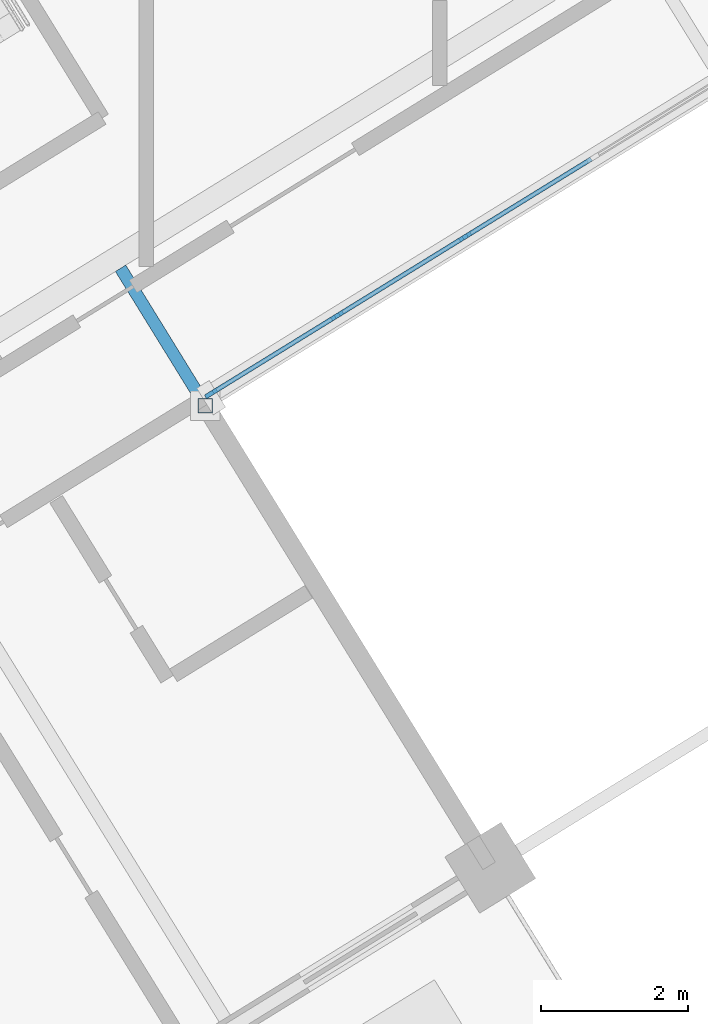
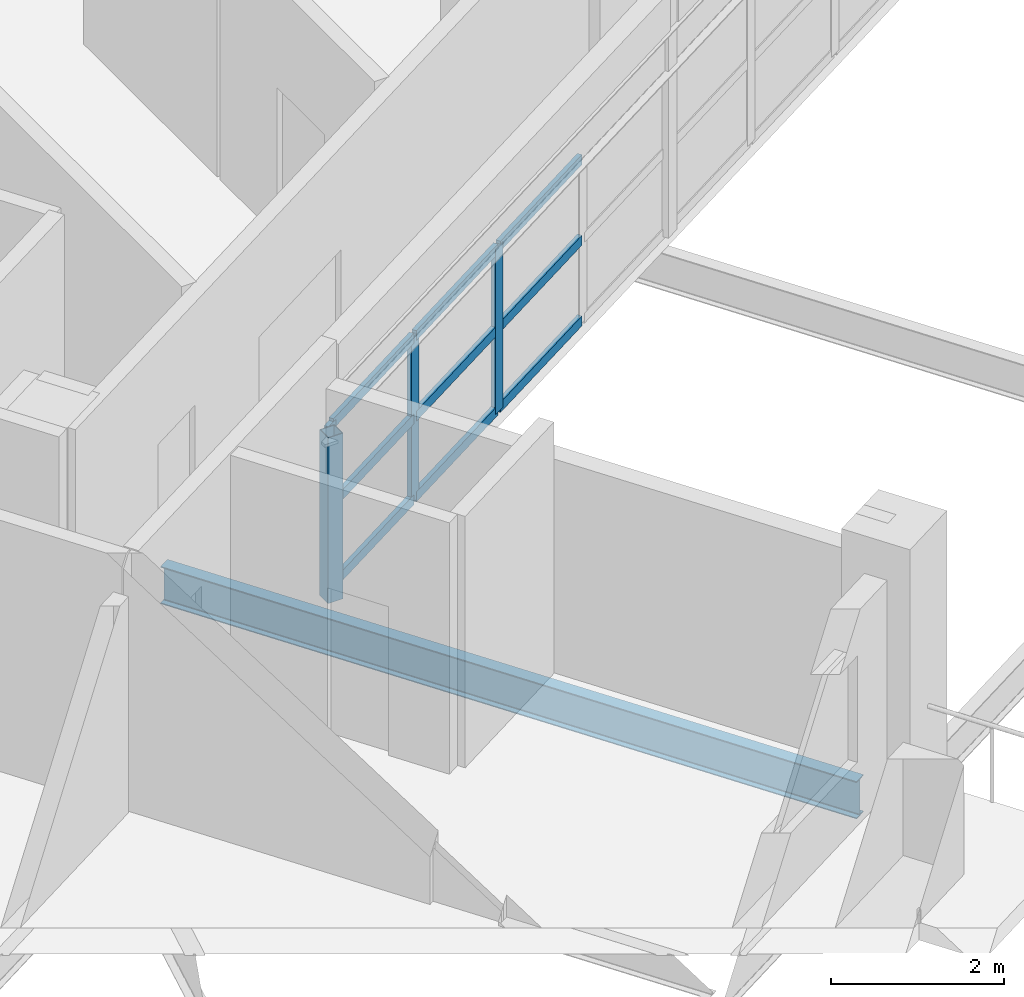
# One storey, part 2 of 22: 13 members, 1 beam, 1 element without a shape of its own.
"""IFC4 building model written with IfcOpenShell, lengths in metres."""

import ifcopenshell
import ifcopenshell.guid

model = None  # the IFC model being written
_history = None  # IfcOwnerHistory: only IFC2X3 demands one
_inside = {}  # id of a spatial element -> (the spatial element, [elements in it])
_under = {}  # id of a project, library or spatial element -> (it, [spatial elements below it])
_declared = {}  # id of a project -> (the project, [libraries it declares])
_typed = {}  # id of a type object -> (the type object, [elements of that type])
_made_of = {}  # id of a material, layer set ... -> (it, [elements and type objects made of it])


def new_model(schema):
    """Start an empty IFC model of exactly this schema.

    Asked for "IFC4X3", IfcOpenShell would pick the latest addendum, in which some entities
    have other attributes; the version numbers below select the first issue.
    IFC2X3 requires an IfcOwnerHistory on every rooted entity: one is made here for all.
    """
    global model, _history
    if schema == "IFC4X3":
        model = ifcopenshell.file(schema_version=(4, 3, 0, 0))
    else:
        model = ifcopenshell.file(schema=schema)
    _inside.clear()
    _under.clear()
    _declared.clear()
    _typed.clear()
    _made_of.clear()
    _history = None
    if model.schema == "IFC2X3":
        org = make("IfcOrganization", Name="unknown")
        user = make(
            "IfcPersonAndOrganization",
            ThePerson=make("IfcPerson", FamilyName="unknown"),
            TheOrganization=org,
        )
        app = make(
            "IfcApplication",
            ApplicationDeveloper=org,
            Version="unknown",
            ApplicationFullName="unknown",
            ApplicationIdentifier="unknown",
        )
        _history = make(
            "IfcOwnerHistory",
            OwningUser=user,
            OwningApplication=app,
            ChangeAction="ADDED",
            CreationDate=0,
        )
    return model


def make(cls, **values):
    """One entity of the class cls with the attributes given. An attribute that is None is left unset."""
    return model.create_entity(
        cls, **{name: value for name, value in values.items() if value is not None}
    )


def rooted(cls, **values):
    """An entity with a GlobalId (a new one), such as an element, a storey or a relation."""
    return make(cls, GlobalId=ifcopenshell.guid.new(), OwnerHistory=_history, **values)


def si_unit(unit_type, name, prefix=None):
    """IfcSIUnit, for example si_unit("LENGTHUNIT", "METRE", prefix="MILLI")."""
    return make("IfcSIUnit", UnitType=unit_type, Prefix=prefix, Name=name)


def assignment(units):
    """IfcUnitAssignment: the units of a project."""
    return None if units is None else make("IfcUnitAssignment", Units=units)


def point(xyz):
    """IfcCartesianPoint."""
    return None if xyz is None else make("IfcCartesianPoint", Coordinates=xyz)


def direction(xyz):
    """IfcDirection."""
    return None if xyz is None else make("IfcDirection", DirectionRatios=xyz)


def frame(location, z_axis=None, x_axis=None):
    """IfcAxis2Placement3D, a coordinate frame: its origin and axes. An axis left out is left unset."""
    return make(
        "IfcAxis2Placement3D",
        Location=point(location),
        Axis=direction(z_axis),
        RefDirection=direction(x_axis),
    )


def frame_2d(location, x_axis=None):
    """IfcAxis2Placement2D, a coordinate frame in the plane: its origin and x axis."""
    return make(
        "IfcAxis2Placement2D", Location=point(location), RefDirection=direction(x_axis)
    )


def origin():
    """The frame at (0, 0, 0) with its axes left unset."""
    return frame((0.0, 0.0, 0.0))


def origin_2d():
    """The frame at (0, 0) in the plane with its x axis left unset."""
    return frame_2d((0.0, 0.0))


def place(relative_to, where):
    """IfcLocalPlacement: puts the frame where relative to a parent placement (None: the world)."""
    return make(
        "IfcLocalPlacement", PlacementRelTo=relative_to, RelativePlacement=where
    )


def context(
    kind, dimensions, precision=None, world=None, true_north=None, identifier=None
):
    """IfcGeometricRepresentationContext, for example the 3D "Model" context."""
    return make(
        "IfcGeometricRepresentationContext",
        ContextIdentifier=identifier,
        ContextType=kind,
        CoordinateSpaceDimension=dimensions,
        Precision=precision,
        WorldCoordinateSystem=world,
        TrueNorth=true_north,
    )


def subcontext(parent, identifier, kind, view, scale=None):
    """IfcGeometricRepresentationSubContext, for example "Body" below "Model"."""
    return make(
        "IfcGeometricRepresentationSubContext",
        ContextIdentifier=identifier,
        ContextType=kind,
        ParentContext=parent,
        TargetScale=scale,
        TargetView=view,
    )


def project(units=None, contexts=None):
    """IfcProject with its units and contexts."""
    return rooted(
        "IfcProject",
        Name="project",
        RepresentationContexts=contexts,
        UnitsInContext=assignment(units),
    )


def spatial(cls, under=None, at=None, **own):
    """A site, building, storey or space (cls), placed at a placement, below another one or the project."""
    s = rooted(cls, ObjectPlacement=at, **own)
    if under is not None:
        _under.setdefault(under.id(), (under, []))[1].append(s)
    return s


def profile(cls, at=None, kind="AREA", **sizes):
    """A parametric profile (cls). Its sizes go by their IFC names, for example OverallWidth=200.0."""
    return make(cls, ProfileType=kind, Position=at, **sizes)


def rectangle(**sizes):
    """IfcRectangleProfileDef."""
    return profile("IfcRectangleProfileDef", **sizes)


def hollow_rectangle(**sizes):
    """IfcRectangleHollowProfileDef."""
    return profile("IfcRectangleHollowProfileDef", **sizes)


def i_section(**sizes):
    """IfcIShapeProfileDef."""
    return profile("IfcIShapeProfileDef", **sizes)


def extrude(swept, where, along, depth):
    """IfcExtrudedAreaSolid: the profile swept, set in the frame where, extruded along a direction by depth."""
    return make(
        "IfcExtrudedAreaSolid",
        SweptArea=swept,
        Position=where,
        ExtrudedDirection=direction(along),
        Depth=depth,
    )


def shape(context_of_items, identifier, shape_type, items):
    """IfcShapeRepresentation: the items that make up one representation, for example the "Body"."""
    return make(
        "IfcShapeRepresentation",
        ContextOfItems=context_of_items,
        RepresentationIdentifier=identifier,
        RepresentationType=shape_type,
        Items=items,
    )


def material(Name=None, Category=None):
    """IfcMaterial."""
    return make("IfcMaterial", Name=Name, Category=Category)


def material_profile(
    of_material, cross_section, Name=None, Category=None, Priority=None
):
    """IfcMaterialProfile: a cross section and its material."""
    return make(
        "IfcMaterialProfile",
        Name=Name,
        Material=of_material,
        Profile=cross_section,
        Priority=Priority,
        Category=Category,
    )


def profile_set(profiles, Name=None, composite=None):
    """IfcMaterialProfileSet."""
    return make(
        "IfcMaterialProfileSet",
        Name=Name,
        MaterialProfiles=profiles,
        CompositeProfile=composite,
    )


def made_of(thing, what):
    """Note that an element or type object is made of a material, layer set ...; save() writes the relation."""
    if what is not None:
        _made_of.setdefault(what.id(), (what, []))[1].append(thing)
    return thing


def type_object(cls, material=None, **own):
    """A type object (cls), such as IfcWallType, which elements share."""
    return made_of(rooted(cls, **own), material)


def element(
    cls,
    number,
    at=None,
    inside=None,
    cuts=None,
    type_object=None,
    material=None,
    context=None,
    identifier="Body",
    shape_type=None,
    held_by="IfcProductDefinitionShape",
    body=None,
    shapes=None,
    **own,
):
    """One element of the class cls, such as IfcWall. Its Tag is "e" and its number.

    at: its placement. inside: the storey or other place that contains it. cuts: it is an
    opening in that element (IfcRelVoidsElement). A single representation is given by context,
    identifier, shape_type and body (its items); several are given by shapes. held_by: the class
    of the entity that holds the representations. save() writes the other relations.
    """
    e = rooted(cls, Tag="e%d" % number, ObjectPlacement=at, **own)
    if body is not None:
        shapes = [shape(context, identifier, shape_type, body)]
    if shapes is not None:
        e.Representation = make(held_by, Representations=shapes)
    if inside is not None:
        _inside.setdefault(inside.id(), (inside, []))[1].append(e)
    if cuts is not None:
        rooted(
            "IfcRelVoidsElement", RelatingBuildingElement=cuts, RelatedOpeningElement=e
        )
    if type_object is not None:
        _typed.setdefault(type_object.id(), (type_object, []))[1].append(e)
    return made_of(e, material)


def aggregate(whole, parts):
    """IfcRelAggregates: a whole, such as a stair, and the parts it consists of."""
    return rooted("IfcRelAggregates", RelatingObject=whole, RelatedObjects=parts)


def save(model, path):
    """Write the relations noted so far, then the file.

    IfcRelAggregates (storeys below a building ...), IfcRelContainedInSpatialStructure (elements
    in a storey), IfcRelDefinesByType, IfcRelAssociatesMaterial and IfcRelDeclares: one each for
    every whole, place, type object, material and project.
    """
    for whole, parts in _under.values():
        aggregate(whole, parts)
    for where, things in _inside.values():
        rooted(
            "IfcRelContainedInSpatialStructure",
            RelatedElements=things,
            RelatingStructure=where,
        )
    for kind, things in _typed.values():
        rooted("IfcRelDefinesByType", RelatedObjects=things, RelatingType=kind)
    for what, things in _made_of.values():
        rooted("IfcRelAssociatesMaterial", RelatedObjects=things, RelatingMaterial=what)
    for by, libraries in _declared.values():
        rooted("IfcRelDeclares", RelatingContext=by, RelatedDefinitions=libraries)
    model.write(path)


model = new_model("IFC4")

# Units and contexts
model_context = context("Model", 3, precision=1e-05, world=origin(), true_north=direction((0.0, 1.0)))
body_context = subcontext(model_context, "Body", "Model", "MODEL_VIEW")
ifc_project = project(units=[si_unit("LENGTHUNIT", "METRE"), si_unit("AREAUNIT", "SQUARE_METRE"), si_unit("VOLUMEUNIT", "CUBIC_METRE"), si_unit("PLANEANGLEUNIT", "RADIAN"), si_unit("MASSUNIT", "GRAM", prefix="KILO")], contexts=[model_context])

# Site, building, storey
site_placement = place(None, origin())
site = spatial("IfcSite", under=ifc_project, at=site_placement, CompositionType="ELEMENT")
building_placement = place(site_placement, origin())
building = spatial("IfcBuilding", under=site, at=building_placement, Name="Cantera Rosa Tower", CompositionType="ELEMENT")
storey_placement = place(building_placement, frame((0.0, 0.0, 174.199951171875)))
storey = spatial("IfcBuildingStorey", under=building, at=storey_placement, Name="L38", CompositionType="ELEMENT", Elevation=174.199951171875)

# Curtain wall, members
ifc_material_1 = material(Name="Aluminium frame with clear glass", Category="aluminium")
curtain_wall_type = type_object("IfcCurtainWallType", Name="CW1 TERRACE POCKET GLAZING", PredefinedType="NOTDEFINED", material=ifc_material_1)
curtain_wall_placement = place(storey_placement, origin())
curtain_wall = element("IfcCurtainWall", 1, at=curtain_wall_placement, inside=storey, type_object=curtain_wall_type, Name="CW1 CW1", PredefinedType="NOTDEFINED")
ifc_material_2 = material(Name="Anodised bronze aluminium", Category="aluminium")
ifc_material_profile_1 = material_profile(ifc_material_2, rectangle(XDim=0.06005859375, YDim=0.179931640625, at=origin_2d()), Name="CW-MULLION 60x180 POCKET")
ifc_profile_set_1 = profile_set([ifc_material_profile_1], Name="Anodised bronze aluminium")
member_type_1 = type_object("IfcMemberType", Name="CW-MULLION 60x180 POCKET", PredefinedType="MULLION", material=ifc_profile_set_1)
member_1_placement = place(storey_placement, frame((-3.114013671875, -18.428466796875, 0.0), z_axis=(0.0, 0.0, 1.0), x_axis=(-0.524976580354, 0.851116672425, 0.0)))
member_1 = element("IfcMember", 2, at=member_1_placement, type_object=member_type_1, Name="CW1 mullion 1", PredefinedType="MULLION", context=body_context, shape_type="SweptSolid", body=[
    extrude(rectangle(XDim=0.06005859375, YDim=0.179931640625, at=origin_2d()), origin(), (0.0, 0.0, 1.0), 2.338134765625),
])
member_2_placement = place(storey_placement, frame((-1.39599609375, -17.36865234375, 0.0), z_axis=(0.0, 0.0, 1.0), x_axis=(-0.524976580354, 0.851116672425, 0.0)))
member_2 = element("IfcMember", 3, at=member_2_placement, type_object=member_type_1, Name="CW1 mullion 2", PredefinedType="MULLION", context=body_context, shape_type="SweptSolid", body=[
    extrude(rectangle(XDim=0.06005859375, YDim=0.179931640625, at=origin_2d()), origin(), (0.0, 0.0, 1.0), 2.338134765625),
])
member_3_placement = place(storey_placement, frame((0.347900390625, -16.293212890625, 0.0), z_axis=(0.0, 0.0, 1.0), x_axis=(-0.524976580354, 0.851116672425, 0.0)))
member_3 = element("IfcMember", 4, at=member_3_placement, type_object=member_type_1, Name="CW1 mullion 3", PredefinedType="MULLION", context=body_context, shape_type="SweptSolid", body=[
    extrude(rectangle(XDim=0.06005859375, YDim=0.179931640625, at=origin_2d()), origin(), (0.0, 0.0, 1.0), 2.338134765625),
])
ifc_material_3 = material(Name="Anodised bronze aluminium", Category="aluminium")
ifc_material_profile_2 = material_profile(ifc_material_3, rectangle(XDim=0.06005859375, YDim=0.139892578125, at=origin_2d()), Name="CW-TRANSOM 60x140 POCKET")
ifc_profile_set_2 = profile_set([ifc_material_profile_2], Name="Anodised bronze aluminium")
member_type_2 = type_object("IfcMemberType", Name="CW-TRANSOM 60x140 POCKET", PredefinedType="USERDEFINED", material=ifc_profile_set_2)
member_4_placement = place(storey_placement, frame((-3.088623046875, -18.412841796875, 0.030029296875), z_axis=(0.851127248562, 0.524959433437, 0.0), x_axis=(-0.524959433437, 0.851127248562, 0.0)))
member_4 = element("IfcMember", 5, at=member_4_placement, type_object=member_type_2, Name="CW1 transom 1.1", ObjectType="TRANSOM", PredefinedType="USERDEFINED", context=body_context, shape_type="SweptSolid", body=[
    extrude(rectangle(XDim=0.06005859375, YDim=0.139892578125, at=origin_2d()), origin(), (0.0, 0.0, 1.0), 1.958740234375),
])
member_5_placement = place(storey_placement, frame((-3.088623046875, -18.412841796875, 1.1689453125), z_axis=(0.851127248562, 0.524959433437, 0.0), x_axis=(-0.524959433437, 0.851127248562, 0.0)))
member_5 = element("IfcMember", 6, at=member_5_placement, type_object=member_type_2, Name="CW1 transom 1.2", ObjectType="TRANSOM", PredefinedType="USERDEFINED", context=body_context, shape_type="SweptSolid", body=[
    extrude(rectangle(XDim=0.06005859375, YDim=0.139892578125, at=origin_2d()), origin(), (0.0, 0.0, 1.0), 1.958740234375),
])
member_6_placement = place(storey_placement, frame((-3.088623046875, -18.412841796875, 2.30810546875), z_axis=(0.851127248562, 0.524959433437, 0.0), x_axis=(-0.524959433437, 0.851127248562, 0.0)))
member_6 = element("IfcMember", 7, at=member_6_placement, type_object=member_type_2, Name="CW1 transom 1.3", ObjectType="TRANSOM", PredefinedType="USERDEFINED", context=body_context, shape_type="SweptSolid", body=[
    extrude(rectangle(XDim=0.06005859375, YDim=0.139892578125, at=origin_2d()), origin(), (0.0, 0.0, 1.0), 1.958740234375),
])
member_7_placement = place(storey_placement, frame((-1.370361328125, -17.35302734375, 0.030029296875), z_axis=(0.851080363594, 0.52503544138, 0.0), x_axis=(-0.52503544138, 0.851080363594, 0.0)))
member_7 = element("IfcMember", 8, at=member_7_placement, type_object=member_type_2, Name="CW1 transom 2.1", ObjectType="TRANSOM", PredefinedType="USERDEFINED", context=body_context, shape_type="SweptSolid", body=[
    extrude(rectangle(XDim=0.06005859375, YDim=0.139892578125, at=origin_2d()), origin(), (0.0, 0.0, 1.0), 1.98876953125),
])
member_8_placement = place(storey_placement, frame((-1.370361328125, -17.35302734375, 1.1689453125), z_axis=(0.851080363594, 0.52503544138, 0.0), x_axis=(-0.52503544138, 0.851080363594, 0.0)))
member_8 = element("IfcMember", 9, at=member_8_placement, type_object=member_type_2, Name="CW1 transom 2.2", ObjectType="TRANSOM", PredefinedType="USERDEFINED", context=body_context, shape_type="SweptSolid", body=[
    extrude(rectangle(XDim=0.06005859375, YDim=0.139892578125, at=origin_2d()), origin(), (0.0, 0.0, 1.0), 1.98876953125),
])
member_9_placement = place(storey_placement, frame((-1.370361328125, -17.35302734375, 2.30810546875), z_axis=(0.851080363594, 0.52503544138, 0.0), x_axis=(-0.52503544138, 0.851080363594, 0.0)))
member_9 = element("IfcMember", 10, at=member_9_placement, type_object=member_type_2, Name="CW1 transom 2.3", ObjectType="TRANSOM", PredefinedType="USERDEFINED", context=body_context, shape_type="SweptSolid", body=[
    extrude(rectangle(XDim=0.06005859375, YDim=0.139892578125, at=origin_2d()), origin(), (0.0, 0.0, 1.0), 1.98876953125),
])
member_10_placement = place(storey_placement, frame((0.373291015625, -16.27734375, 0.030029296875), z_axis=(0.851135216516, 0.524946514615, 0.0), x_axis=(-0.524946514615, 0.851135216516, 0.0)))
member_10 = element("IfcMember", 11, at=member_10_placement, type_object=member_type_2, Name="CW1 transom 3.1", ObjectType="TRANSOM", PredefinedType="USERDEFINED", context=body_context, shape_type="SweptSolid", body=[
    extrude(rectangle(XDim=0.06005859375, YDim=0.139892578125, at=origin_2d()), origin(), (0.0, 0.0, 1.0), 1.98876953125),
])
member_11_placement = place(storey_placement, frame((0.373291015625, -16.27734375, 1.1689453125), z_axis=(0.851135216516, 0.524946514615, 0.0), x_axis=(-0.524946514615, 0.851135216516, 0.0)))
member_11 = element("IfcMember", 12, at=member_11_placement, type_object=member_type_2, Name="CW1 transom 3.2", ObjectType="TRANSOM", PredefinedType="USERDEFINED", context=body_context, shape_type="SweptSolid", body=[
    extrude(rectangle(XDim=0.06005859375, YDim=0.139892578125, at=origin_2d()), origin(), (0.0, 0.0, 1.0), 1.98876953125),
])
member_12_placement = place(storey_placement, frame((0.373291015625, -16.27734375, 2.30810546875), z_axis=(0.851135216516, 0.524946514615, 0.0), x_axis=(-0.524946514615, 0.851135216516, 0.0)))
member_12 = element("IfcMember", 13, at=member_12_placement, type_object=member_type_2, Name="CW1 transom 3.3", ObjectType="TRANSOM", PredefinedType="USERDEFINED", context=body_context, shape_type="SweptSolid", body=[
    extrude(rectangle(XDim=0.06005859375, YDim=0.139892578125, at=origin_2d()), origin(), (0.0, 0.0, 1.0), 1.98876953125),
])
aggregate(curtain_wall, [member_1, member_2, member_3, member_4, member_5, member_6, member_7, member_8, member_9, member_10, member_11, member_12])

# Member
ifc_material_4 = material(Name="Steel ASTM A992 (Fy 345 MPa)", Category="steel")
ifc_material_profile_3 = material_profile(ifc_material_4, hollow_rectangle(XDim=0.199951171875, YDim=0.199951171875, WallThickness=0.010009765625, at=origin_2d()), Name="LINTEL POST RHS 200x200x10")
ifc_profile_set_3 = profile_set([ifc_material_profile_3], Name="Steel ASTM A992 (Fy 345 MPa)")
member_type_3 = type_object("IfcMemberType", Name="LINTEL POST RHS 200x200x10", PredefinedType="USERDEFINED", material=ifc_profile_set_3)
member_13_placement = place(storey_placement, frame((-3.193603515625, -18.594970703125, 0.0), z_axis=(0.0, 0.0, 1.0), x_axis=(1.0, 0.0, 0.0)))
element("IfcMember", 14, at=member_13_placement, inside=storey, type_object=member_type_3, Name="LINTEL POST L38-1", ObjectType="LINTEL POST", PredefinedType="USERDEFINED", context=body_context, shape_type="SweptSolid", body=[
    extrude(hollow_rectangle(XDim=0.199951171875, YDim=0.199951171875, WallThickness=0.010009765625, at=origin_2d()), origin(), (0.0, 0.0, 1.0), 2.340087890625),
])

# Beam
ifc_material_5 = material(Name="Steel ASTM A992 (Fy 345 MPa)", Category="steel")
ifc_material_profile_4 = material_profile(ifc_material_5, i_section(OverallWidth=0.166015625, OverallDepth=0.528076171875, WebThickness=0.009765625, FlangeThickness=0.013671875, FilletRadius=0.0126953125, at=origin_2d()), Name="W530X74")
ifc_profile_set_4 = profile_set([ifc_material_profile_4], Name="Steel ASTM A992 (Fy 345 MPa)")
beam_type = type_object("IfcBeamType", Name="STEEL BEAM W530X74", PredefinedType="BEAM", material=ifc_profile_set_4)
beam_placement = place(storey_placement, frame((0.455078125, -24.51025390625, -0.513916015625), z_axis=(-0.524976979362, 0.851116426313, 0.0), x_axis=(-0.851116426313, -0.524976979362, 0.0)))
element("IfcBeam", 15, at=beam_placement, inside=storey, type_object=beam_type, Name="G-Z3-09 L38", PredefinedType="BEAM", context=body_context, shape_type="SweptSolid", body=[
    extrude(i_section(OverallWidth=0.166015625, OverallDepth=0.528076171875, WebThickness=0.009765625, FlangeThickness=0.013671875, FilletRadius=0.0126953125, at=origin_2d()), origin(), (0.0, 0.0, 1.0), 9.14990234375),
])

save(model, "model.ifc")
